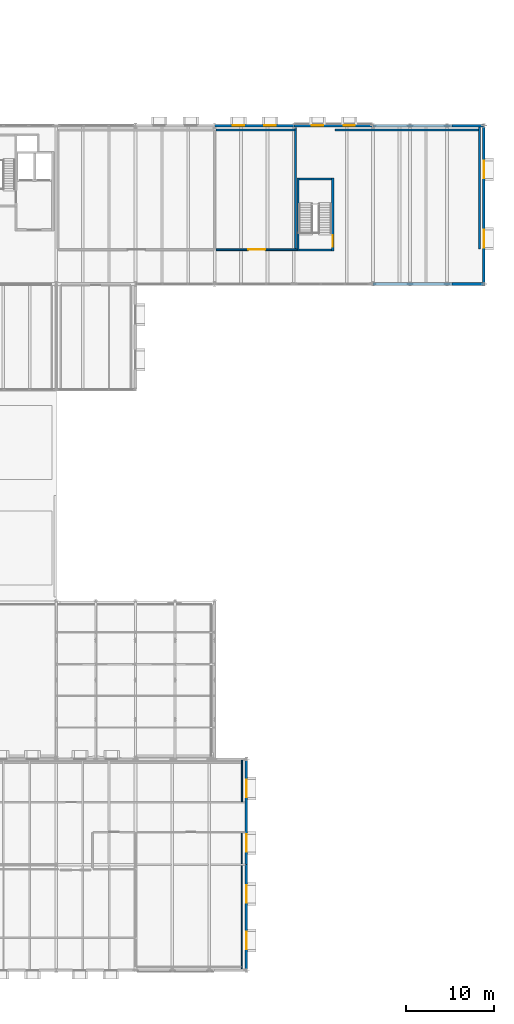
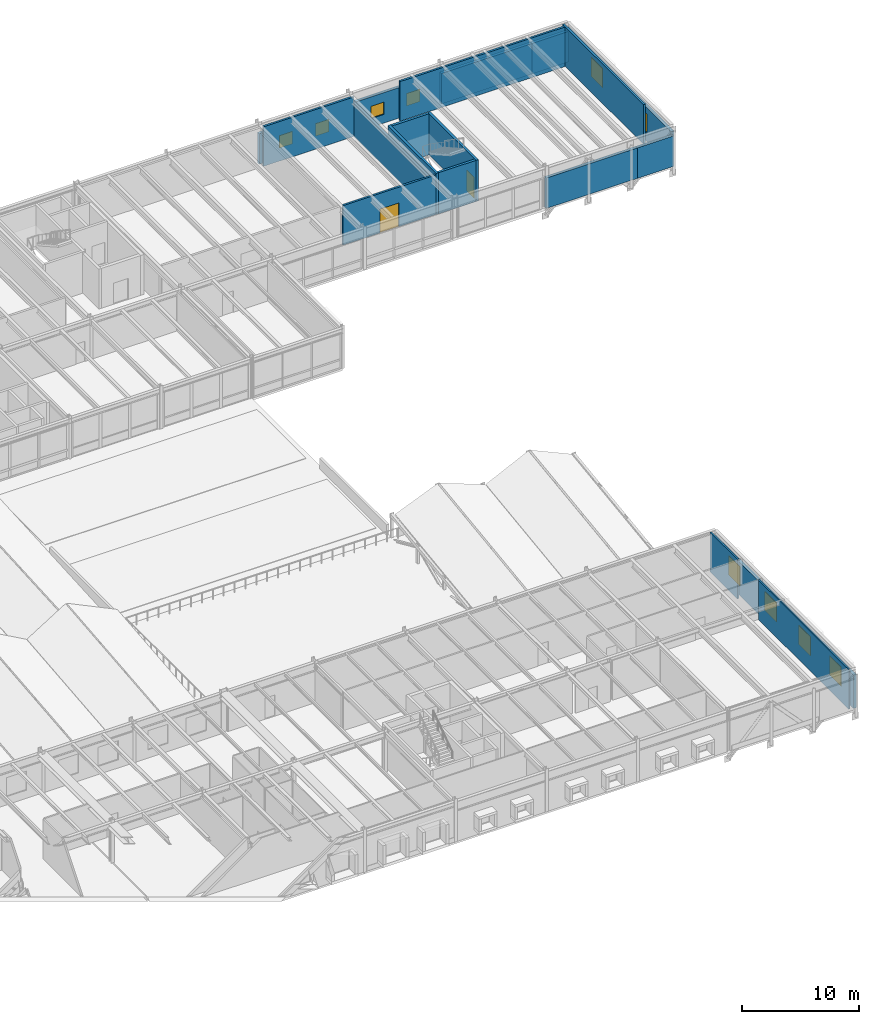
# One storey, part 137 of 142: 20 walls, 10 windows, 2 doors, 12 openings.
"""IFC4 building model written with IfcOpenShell, lengths in metres."""

import ifcopenshell
import ifcopenshell.guid

model = None  # the IFC model being written
_history = None  # IfcOwnerHistory: only IFC2X3 demands one
_inside = {}  # id of a spatial element -> (the spatial element, [elements in it])
_under = {}  # id of a project, library or spatial element -> (it, [spatial elements below it])
_declared = {}  # id of a project -> (the project, [libraries it declares])
_typed = {}  # id of a type object -> (the type object, [elements of that type])
_made_of = {}  # id of a material, layer set ... -> (it, [elements and type objects made of it])


def new_model(schema):
    """Start an empty IFC model of exactly this schema.

    Asked for "IFC4X3", IfcOpenShell would pick the latest addendum, in which some entities
    have other attributes; the version numbers below select the first issue.
    IFC2X3 requires an IfcOwnerHistory on every rooted entity: one is made here for all.
    """
    global model, _history
    if schema == "IFC4X3":
        model = ifcopenshell.file(schema_version=(4, 3, 0, 0))
    else:
        model = ifcopenshell.file(schema=schema)
    _inside.clear()
    _under.clear()
    _declared.clear()
    _typed.clear()
    _made_of.clear()
    _history = None
    if model.schema == "IFC2X3":
        org = make("IfcOrganization", Name="unknown")
        user = make(
            "IfcPersonAndOrganization",
            ThePerson=make("IfcPerson", FamilyName="unknown"),
            TheOrganization=org,
        )
        app = make(
            "IfcApplication",
            ApplicationDeveloper=org,
            Version="unknown",
            ApplicationFullName="unknown",
            ApplicationIdentifier="unknown",
        )
        _history = make(
            "IfcOwnerHistory",
            OwningUser=user,
            OwningApplication=app,
            ChangeAction="ADDED",
            CreationDate=0,
        )
    return model


def make(cls, **values):
    """One entity of the class cls with the attributes given. An attribute that is None is left unset."""
    return model.create_entity(
        cls, **{name: value for name, value in values.items() if value is not None}
    )


def rooted(cls, **values):
    """An entity with a GlobalId (a new one), such as an element, a storey or a relation."""
    return make(cls, GlobalId=ifcopenshell.guid.new(), OwnerHistory=_history, **values)


def si_unit(unit_type, name, prefix=None):
    """IfcSIUnit, for example si_unit("LENGTHUNIT", "METRE", prefix="MILLI")."""
    return make("IfcSIUnit", UnitType=unit_type, Prefix=prefix, Name=name)


def assignment(units):
    """IfcUnitAssignment: the units of a project."""
    return None if units is None else make("IfcUnitAssignment", Units=units)


def point(xyz):
    """IfcCartesianPoint."""
    return None if xyz is None else make("IfcCartesianPoint", Coordinates=xyz)


def direction(xyz):
    """IfcDirection."""
    return None if xyz is None else make("IfcDirection", DirectionRatios=xyz)


def frame(location, z_axis=None, x_axis=None):
    """IfcAxis2Placement3D, a coordinate frame: its origin and axes. An axis left out is left unset."""
    return make(
        "IfcAxis2Placement3D",
        Location=point(location),
        Axis=direction(z_axis),
        RefDirection=direction(x_axis),
    )


def frame_2d(location, x_axis=None):
    """IfcAxis2Placement2D, a coordinate frame in the plane: its origin and x axis."""
    return make(
        "IfcAxis2Placement2D", Location=point(location), RefDirection=direction(x_axis)
    )


def origin():
    """The frame at (0, 0, 0) with its axes left unset."""
    return frame((0.0, 0.0, 0.0))


def place(relative_to, where):
    """IfcLocalPlacement: puts the frame where relative to a parent placement (None: the world)."""
    return make(
        "IfcLocalPlacement", PlacementRelTo=relative_to, RelativePlacement=where
    )


def context(
    kind, dimensions, precision=None, world=None, true_north=None, identifier=None
):
    """IfcGeometricRepresentationContext, for example the 3D "Model" context."""
    return make(
        "IfcGeometricRepresentationContext",
        ContextIdentifier=identifier,
        ContextType=kind,
        CoordinateSpaceDimension=dimensions,
        Precision=precision,
        WorldCoordinateSystem=world,
        TrueNorth=true_north,
    )


def subcontext(parent, identifier, kind, view, scale=None):
    """IfcGeometricRepresentationSubContext, for example "Body" below "Model"."""
    return make(
        "IfcGeometricRepresentationSubContext",
        ContextIdentifier=identifier,
        ContextType=kind,
        ParentContext=parent,
        TargetScale=scale,
        TargetView=view,
    )


def project(units=None, contexts=None):
    """IfcProject with its units and contexts."""
    return rooted(
        "IfcProject",
        Name="project",
        RepresentationContexts=contexts,
        UnitsInContext=assignment(units),
    )


def spatial(cls, under=None, at=None, **own):
    """A site, building, storey or space (cls), placed at a placement, below another one or the project."""
    s = rooted(cls, ObjectPlacement=at, **own)
    if under is not None:
        _under.setdefault(under.id(), (under, []))[1].append(s)
    return s


def profile(cls, at=None, kind="AREA", **sizes):
    """A parametric profile (cls). Its sizes go by their IFC names, for example OverallWidth=200.0."""
    return make(cls, ProfileType=kind, Position=at, **sizes)


def rectangle(**sizes):
    """IfcRectangleProfileDef."""
    return profile("IfcRectangleProfileDef", **sizes)


def extrude(swept, where, along, depth):
    """IfcExtrudedAreaSolid: the profile swept, set in the frame where, extruded along a direction by depth."""
    return make(
        "IfcExtrudedAreaSolid",
        SweptArea=swept,
        Position=where,
        ExtrudedDirection=direction(along),
        Depth=depth,
    )


def shape(context_of_items, identifier, shape_type, items):
    """IfcShapeRepresentation: the items that make up one representation, for example the "Body"."""
    return make(
        "IfcShapeRepresentation",
        ContextOfItems=context_of_items,
        RepresentationIdentifier=identifier,
        RepresentationType=shape_type,
        Items=items,
    )


def material(Name=None, Category=None):
    """IfcMaterial."""
    return make("IfcMaterial", Name=Name, Category=Category)


def layer(
    of_material, thickness, ventilated=None, Name=None, Category=None, Priority=None
):
    """IfcMaterialLayer: one layer of a wall or slab, of a material (None: an air gap)."""
    return make(
        "IfcMaterialLayer",
        Material=of_material,
        LayerThickness=thickness,
        IsVentilated=ventilated,
        Name=Name,
        Category=Category,
        Priority=Priority,
    )


def layer_set(layers, Name=None):
    """IfcMaterialLayerSet."""
    return make("IfcMaterialLayerSet", MaterialLayers=layers, LayerSetName=Name)


def made_of(thing, what):
    """Note that an element or type object is made of a material, layer set ...; save() writes the relation."""
    if what is not None:
        _made_of.setdefault(what.id(), (what, []))[1].append(thing)
    return thing


def type_object(cls, material=None, **own):
    """A type object (cls), such as IfcWallType, which elements share."""
    return made_of(rooted(cls, **own), material)


def element(
    cls,
    number,
    at=None,
    inside=None,
    cuts=None,
    type_object=None,
    material=None,
    context=None,
    identifier="Body",
    shape_type=None,
    held_by="IfcProductDefinitionShape",
    body=None,
    shapes=None,
    **own,
):
    """One element of the class cls, such as IfcWall. Its Tag is "e" and its number.

    at: its placement. inside: the storey or other place that contains it. cuts: it is an
    opening in that element (IfcRelVoidsElement). A single representation is given by context,
    identifier, shape_type and body (its items); several are given by shapes. held_by: the class
    of the entity that holds the representations. save() writes the other relations.
    """
    e = rooted(cls, Tag="e%d" % number, ObjectPlacement=at, **own)
    if body is not None:
        shapes = [shape(context, identifier, shape_type, body)]
    if shapes is not None:
        e.Representation = make(held_by, Representations=shapes)
    if inside is not None:
        _inside.setdefault(inside.id(), (inside, []))[1].append(e)
    if cuts is not None:
        rooted(
            "IfcRelVoidsElement", RelatingBuildingElement=cuts, RelatedOpeningElement=e
        )
    if type_object is not None:
        _typed.setdefault(type_object.id(), (type_object, []))[1].append(e)
    return made_of(e, material)


def fill(opening, filler):
    """IfcRelFillsElement: the door or window that sits in an opening."""
    return rooted(
        "IfcRelFillsElement",
        RelatingOpeningElement=opening,
        RelatedBuildingElement=filler,
    )


def aggregate(whole, parts):
    """IfcRelAggregates: a whole, such as a stair, and the parts it consists of."""
    return rooted("IfcRelAggregates", RelatingObject=whole, RelatedObjects=parts)


def save(model, path):
    """Write the relations noted so far, then the file.

    IfcRelAggregates (storeys below a building ...), IfcRelContainedInSpatialStructure (elements
    in a storey), IfcRelDefinesByType, IfcRelAssociatesMaterial and IfcRelDeclares: one each for
    every whole, place, type object, material and project.
    """
    for whole, parts in _under.values():
        aggregate(whole, parts)
    for where, things in _inside.values():
        rooted(
            "IfcRelContainedInSpatialStructure",
            RelatedElements=things,
            RelatingStructure=where,
        )
    for kind, things in _typed.values():
        rooted("IfcRelDefinesByType", RelatedObjects=things, RelatingType=kind)
    for what, things in _made_of.values():
        rooted("IfcRelAssociatesMaterial", RelatedObjects=things, RelatingMaterial=what)
    for by, libraries in _declared.values():
        rooted("IfcRelDeclares", RelatingContext=by, RelatedDefinitions=libraries)
    model.write(path)


model = new_model("IFC4")

# Units and contexts
model_context = context("Model", 3, precision=1e-05, world=origin(), true_north=direction((0.0, 1.0)))
body_context = subcontext(model_context, "Body", "Model", "MODEL_VIEW")
ifc_project = project(units=[si_unit("LENGTHUNIT", "METRE"), si_unit("AREAUNIT", "SQUARE_METRE"), si_unit("VOLUMEUNIT", "CUBIC_METRE"), si_unit("PLANEANGLEUNIT", "RADIAN"), si_unit("MASSUNIT", "GRAM", prefix="KILO")], contexts=[model_context])

# Site, building, storey
site_placement = place(None, origin())
site = spatial("IfcSite", under=ifc_project, at=site_placement, CompositionType="ELEMENT")
building_placement = place(site_placement, origin())
building = spatial("IfcBuilding", under=site, at=building_placement, Name="Montelvaro Courts of Justice", CompositionType="ELEMENT")
storey_placement = place(building_placement, frame((0.0, 0.0, 14.39990234375)))
storey = spatial("IfcBuildingStorey", under=building, at=storey_placement, Name="L03", CompositionType="ELEMENT", Elevation=14.39990234375)

# Walls
ifc_material_1 = material(Name="Gypsum board on metal stud")
ifc_layer_1 = layer(ifc_material_1, 0.14990234375)
ifc_layer_set_1 = layer_set([ifc_layer_1], Name="Gypsum board on metal stud")
wall_type_1 = type_object("IfcWallType", Name="ChambersPartition_150", PredefinedType="PARTITIONING", material=ifc_layer_set_1)
wall_1_placement = place(storey_placement, frame((147.10009765625, 23.85498046875, 0.0), z_axis=(0.0, 0.0, 1.0), x_axis=(0.0, -1.0, 0.0)))
element("IfcWall", 1, at=wall_1_placement, inside=storey, type_object=wall_type_1, Name="Interior Partition IW-04 (L03)", PredefinedType="PARTITIONING", context=body_context, shape_type="SweptSolid", body=[
    extrude(rectangle(XDim=4.675048828125, YDim=0.14990234375, at=frame_2d((2.33740234375, 0.0))), origin(), (0.0, 0.0, 1.0), 4.14013671875),
])
ifc_material_2 = material(Name="Gypsum acoustic double stud with mineral wool")
ifc_layer_2 = layer(ifc_material_2, 0.199951171875)
ifc_layer_set_2 = layer_set([ifc_layer_2], Name="Gypsum acoustic double stud with mineral wool")
wall_type_2 = type_object("IfcWallType", Name="CourtAcousticWall_200", PredefinedType="PARTITIONING", material=ifc_layer_set_2)
wall_2_placement = place(storey_placement, frame((153.199951171875, 95.72705078125, 0.0), z_axis=(0.0, 0.0, 1.0), x_axis=(0.0, -1.0, 0.0)))
element("IfcWall", 2, at=wall_2_placement, inside=storey, type_object=wall_type_2, Name="Interior Partition IW-01 (L03)", PredefinedType="PARTITIONING", context=body_context, shape_type="SweptSolid", body=[
    extrude(rectangle(XDim=13.7470703125, YDim=0.199951171875, at=frame_2d((6.87353515625, 0.0))), origin(), (0.0, 0.0, 1.0), 3.4951171875),
])

# Wall, opening, door
wall_3_placement = place(storey_placement, frame((153.364990234375, 81.89990234375, 0.0), z_axis=(0.0, 0.0, 1.0), x_axis=(-1.0, 0.0, 0.0)))
wall_3 = element("IfcWall", 3, at=wall_3_placement, inside=storey, type_object=wall_type_2, Name="Interior Partition IW-01 (L03)", PredefinedType="PARTITIONING", context=body_context, shape_type="SweptSolid", body=[
    extrude(rectangle(XDim=9.18505859375, YDim=0.199951171875, at=frame_2d((4.592529296875, 0.0))), origin(), (0.0, 0.0, 1.0), 4.14013671875),
])
opening_1_placement = place(wall_3_placement, frame((3.64306640625, 0.0, 0.0)))
opening_1 = element("IfcOpeningElement", 4, at=opening_1_placement, cuts=wall_3, Name="Opening D-L03-111", PredefinedType="OPENING", context=body_context, shape_type="SweptSolid", body=[
    extrude(rectangle(XDim=1.89990234375, YDim=2.5, at=frame_2d((0.949951171875, 1.25))), frame((0.0, 0.11474609375, 0.0), z_axis=(0.0, -1.0, 0.0), x_axis=(1.0, 0.0, 0.0)), (0.0, 0.0, 1.0), 0.229736328125),
])
ifc_material_3 = material(Name="Acoustic oak timber veneer", Category="wood")
door_type_1 = type_object("IfcDoorType", Name="CourtDoor_190x250", OperationType="DOUBLE_DOOR_SINGLE_SWING", PredefinedType="DOOR", material=ifc_material_3)
door_1_placement = place(opening_1_placement, frame((1.89990234375, 0.0, 0.0), z_axis=(0.0, 0.0, 1.0), x_axis=(-1.0, 0.0, 0.0)))
door_1 = element("IfcDoor", 5, at=door_1_placement, inside=storey, type_object=door_type_1, Name="Interior Door D-L03-111 (Administrative Courtroom 14)", OperationType="DOUBLE_DOOR_SINGLE_SWING", OverallHeight=2.5, OverallWidth=1.89990234375, PredefinedType="DOOR", context=body_context, shape_type="SweptSolid", body=[
    extrude(rectangle(XDim=1.89990234375, YDim=2.5, at=frame_2d((0.949951171875, 1.25))), frame((0.0, 0.02490234375, 0.0), z_axis=(0.0, -1.0, 0.0), x_axis=(1.0, 0.0, 0.0)), (0.0, 0.0, 1.0), 0.050048828125),
])
fill(opening_1, door_1)

# Walls
wall_4_placement = place(storey_placement, frame((144.179931640625, 95.5, 0.0), z_axis=(0.0, 0.0, 1.0), x_axis=(1.0, 0.0, 0.0)))
element("IfcWall", 6, at=wall_4_placement, inside=storey, type_object=wall_type_2, Name="Interior Partition IW-01 (L03)", PredefinedType="PARTITIONING", context=body_context, shape_type="SweptSolid", body=[
    extrude(rectangle(XDim=8.940185546875, YDim=0.199951171875, at=frame_2d((4.47021484375, 0.0))), origin(), (0.0, 0.0, 1.0), 4.14013671875),
])
wall_5_placement = place(storey_placement, frame((174.10009765625, 95.85498046875, 0.0), z_axis=(0.0, 0.0, 1.0), x_axis=(0.0, -1.0, 0.0)))
element("IfcWall", 7, at=wall_5_placement, inside=storey, type_object=wall_type_2, Name="Interior Partition IW-01 (L03)", PredefinedType="PARTITIONING", context=body_context, shape_type="SweptSolid", body=[
    extrude(rectangle(XDim=13.875, YDim=0.199951171875, at=frame_2d((6.9375, 0.0))), origin(), (0.0, 0.0, 1.0), 4.14013671875),
])
wall_6_placement = place(storey_placement, frame((157.679931640625, 95.5, 0.0), z_axis=(0.0, 0.0, 1.0), x_axis=(1.0, 0.0, 0.0)))
element("IfcWall", 8, at=wall_6_placement, inside=storey, type_object=wall_type_2, Name="Interior Partition IW-01 (L03)", PredefinedType="PARTITIONING", context=body_context, shape_type="SweptSolid", body=[
    extrude(rectangle(XDim=16.340087890625, YDim=0.199951171875, at=frame_2d((8.169921875, 0.0))), origin(), (0.0, 0.0, 1.0), 4.14013671875),
])
ifc_material_4 = material(Name="White mineral precast concrete C45/55", Category="concrete")
ifc_layer_3 = layer(ifc_material_4, 0.300048828125)
ifc_layer_set_3 = layer_set([ifc_layer_3], Name="White mineral precast concrete C45/55")
wall_type_3 = type_object("IfcWallType", Name="ExtWall_GFRC_300", PredefinedType="SOLIDWALL", material=ifc_layer_set_3)
wall_7_placement = place(storey_placement, frame((162.008056640625, 78.0, 0.0), z_axis=(0.0, 0.0, 1.0), x_axis=(1.0, 0.0, 0.0)))
element("IfcWall", 9, at=wall_7_placement, inside=storey, type_object=wall_type_3, Name="Exterior Facade Wall EW-02 (L03)", PredefinedType="SOLIDWALL", context=body_context, shape_type="SweptSolid", body=[
    extrude(rectangle(XDim=9.001953125, YDim=0.300048828125, at=frame_2d((4.5009765625, 0.0))), origin(), (0.0, 0.0, 1.0), 3.18701171875),
])
wall_8_placement = place(storey_placement, frame((170.989990234375, 78.0, 0.0), z_axis=(0.0, 0.0, 1.0), x_axis=(1.0, 0.0, 0.0)))
element("IfcWall", 10, at=wall_8_placement, inside=storey, type_object=wall_type_3, Name="Exterior Facade Wall EW-02 (L03)", PredefinedType="SOLIDWALL", context=body_context, shape_type="SweptSolid", body=[
    extrude(rectangle(XDim=3.64990234375, YDim=0.300048828125, at=frame_2d((1.824951171875, 0.0))), origin(), (0.0, 0.0, 1.0), 3.18701171875),
])

# Wall, openings, windows
wall_9_placement = place(storey_placement, frame((174.60009765625, 78.0400390625, 0.0), z_axis=(0.0, 0.0, 1.0), x_axis=(0.0, 1.0, 0.0)))
wall_9 = element("IfcWall", 11, at=wall_9_placement, inside=storey, type_object=wall_type_3, Name="Exterior Facade Wall EW-02 (L03)", PredefinedType="SOLIDWALL", context=body_context, shape_type="SweptSolid", body=[
    extrude(rectangle(XDim=18.0, YDim=0.300048828125, at=frame_2d((9.0, 0.0))), origin(), (0.0, 0.0, 1.0), 3.545166015625),
])
opening_2_placement = place(wall_9_placement, frame((4.10009765625, 0.0, 0.85009765625)))
opening_2 = element("IfcOpeningElement", 12, at=opening_2_placement, cuts=wall_9, Name="Opening WE-11", PredefinedType="OPENING", context=body_context, shape_type="SweptSolid", body=[
    extrude(rectangle(XDim=2.0, YDim=2.0, at=frame_2d((1.0, 1.0))), frame((0.0, 0.1650390625, 0.0), z_axis=(0.0, -1.0, 0.0), x_axis=(1.0, 0.0, 0.0)), (0.0, 0.0, 1.0), 0.329833984375),
])
opening_3_placement = place(wall_9_placement, frame((11.9599609375, 0.0, 0.85009765625)))
opening_3 = element("IfcOpeningElement", 13, at=opening_3_placement, cuts=wall_9, Name="Opening WE-11", PredefinedType="OPENING", context=body_context, shape_type="SweptSolid", body=[
    extrude(rectangle(XDim=2.0, YDim=2.0, at=frame_2d((1.0, 1.0))), frame((0.0, 0.1650390625, 0.0), z_axis=(0.0, -1.0, 0.0), x_axis=(1.0, 0.0, 0.0)), (0.0, 0.0, 1.0), 0.329833984375),
])
ifc_material_5 = material(Name="Low-E solar control double glazing", Category="glass")
window_type_1 = type_object("IfcWindowType", Name="Win_Sq_200x200", PartitioningType="SINGLE_PANEL", PredefinedType="WINDOW", material=ifc_material_5)
window_1_placement = place(opening_2_placement, origin())
window_1 = element("IfcWindow", 14, at=window_1_placement, inside=storey, type_object=window_type_1, Name="Window W-L03-139", OverallHeight=2.0, OverallWidth=2.0, PartitioningType="SINGLE_PANEL", PredefinedType="WINDOW", context=body_context, shape_type="SweptSolid", body=[
    extrude(rectangle(XDim=2.0, YDim=2.0, at=frame_2d((1.0, 1.0))), frame((0.0, 0.030029296875, 0.0), z_axis=(0.0, -1.0, 0.0), x_axis=(1.0, 0.0, 0.0)), (0.0, 0.0, 1.0), 0.06005859375),
])
fill(opening_2, window_1)
window_2_placement = place(opening_3_placement, origin())
window_2 = element("IfcWindow", 15, at=window_2_placement, inside=storey, type_object=window_type_1, Name="Window W-L03-140", OverallHeight=2.0, OverallWidth=2.0, PartitioningType="SINGLE_PANEL", PredefinedType="WINDOW", context=body_context, shape_type="SweptSolid", body=[
    extrude(rectangle(XDim=2.0, YDim=2.0, at=frame_2d((1.0, 1.0))), frame((0.0, 0.030029296875, 0.0), z_axis=(0.0, -1.0, 0.0), x_axis=(1.0, 0.0, 0.0)), (0.0, 0.0, 1.0), 0.06005859375),
])
fill(opening_3, window_2)

# Walls
wall_10_placement = place(storey_placement, frame((174.56005859375, 96.0, 0.0), z_axis=(0.0, 0.0, 1.0), x_axis=(-1.0, 0.0, 0.0)))
element("IfcWall", 16, at=wall_10_placement, inside=storey, type_object=wall_type_3, Name="Exterior Facade Wall EW-02 (L03)", PredefinedType="SOLIDWALL", context=body_context, shape_type="SweptSolid", body=[
    extrude(rectangle(XDim=3.570068359375, YDim=0.300048828125, at=frame_2d((1.78515625, 0.0))), origin(), (0.0, 0.0, 1.0), 3.18701171875),
])
wall_11_placement = place(storey_placement, frame((171.010009765625, 96.0, 0.0), z_axis=(0.0, 0.0, 1.0), x_axis=(-1.0, 0.0, 0.0)))
element("IfcWall", 17, at=wall_11_placement, inside=storey, type_object=wall_type_3, Name="Exterior Facade Wall EW-02 (L03)", PredefinedType="SOLIDWALL", context=body_context, shape_type="SweptSolid", body=[
    extrude(rectangle(XDim=9.001953125, YDim=0.300048828125, at=frame_2d((4.5009765625, 0.0))), origin(), (0.0, 0.0, 1.0), 3.18701171875),
])

# Wall, openings, windows
wall_12_placement = place(storey_placement, frame((161.991943359375, 96.0, 0.0), z_axis=(0.0, 0.0, 1.0), x_axis=(-1.0, 0.0, 0.0)))
wall_12 = element("IfcWall", 18, at=wall_12_placement, inside=storey, type_object=wall_type_3, Name="Exterior Facade Wall EW-02 (L03)", PredefinedType="SOLIDWALL", context=body_context, shape_type="SweptSolid", body=[
    extrude(rectangle(XDim=8.98388671875, YDim=0.300048828125, at=frame_2d((4.491943359375, 0.0))), origin(), (0.0, 0.0, 1.0), 3.18701171875),
])
opening_4_placement = place(wall_12_placement, frame((2.044921875, 0.0, 0.89990234375)))
opening_4 = element("IfcOpeningElement", 19, at=opening_4_placement, cuts=wall_12, Name="Opening WE-18", PredefinedType="OPENING", context=body_context, shape_type="SweptSolid", body=[
    extrude(rectangle(XDim=1.300048828125, YDim=1.300048828125, at=frame_2d((0.64990234375, 0.64990234375))), frame((0.0, 0.1650390625, 0.0), z_axis=(0.0, -1.0, 0.0), x_axis=(1.0, 0.0, 0.0)), (0.0, 0.0, 1.0), 0.329833984375),
])
opening_5_placement = place(wall_12_placement, frame((5.638916015625, 0.0, 0.89990234375)))
opening_5 = element("IfcOpeningElement", 20, at=opening_5_placement, cuts=wall_12, Name="Opening WE-18", PredefinedType="OPENING", context=body_context, shape_type="SweptSolid", body=[
    extrude(rectangle(XDim=1.300048828125, YDim=1.300048828125, at=frame_2d((0.64990234375, 0.64990234375))), frame((0.0, 0.1650390625, 0.0), z_axis=(0.0, -1.0, 0.0), x_axis=(1.0, 0.0, 0.0)), (0.0, 0.0, 1.0), 0.329833984375),
])
window_type_2 = type_object("IfcWindowType", Name="Win_Sq_130x130", PartitioningType="SINGLE_PANEL", PredefinedType="WINDOW", material=ifc_material_5)
window_3_placement = place(opening_4_placement, origin())
window_3 = element("IfcWindow", 21, at=window_3_placement, inside=storey, type_object=window_type_2, Name="Window W-L03-141", OverallHeight=1.300048828125, OverallWidth=1.300048828125, PartitioningType="SINGLE_PANEL", PredefinedType="WINDOW", context=body_context, shape_type="SweptSolid", body=[
    extrude(rectangle(XDim=1.300048828125, YDim=1.300048828125, at=frame_2d((0.64990234375, 0.64990234375))), frame((0.0, 0.030029296875, 0.0), z_axis=(0.0, -1.0, 0.0), x_axis=(1.0, 0.0, 0.0)), (0.0, 0.0, 1.0), 0.06005859375),
])
fill(opening_4, window_3)
window_4_placement = place(opening_5_placement, origin())
window_4 = element("IfcWindow", 22, at=window_4_placement, inside=storey, type_object=window_type_2, Name="Window W-L03-142", OverallHeight=1.300048828125, OverallWidth=1.300048828125, PartitioningType="SINGLE_PANEL", PredefinedType="WINDOW", context=body_context, shape_type="SweptSolid", body=[
    extrude(rectangle(XDim=1.300048828125, YDim=1.300048828125, at=frame_2d((0.64990234375, 0.64990234375))), frame((0.0, 0.030029296875, 0.0), z_axis=(0.0, -1.0, 0.0), x_axis=(1.0, 0.0, 0.0)), (0.0, 0.0, 1.0), 0.06005859375),
])
fill(opening_5, window_4)

wall_13_placement = place(storey_placement, frame((152.991943359375, 96.0, 0.0), z_axis=(0.0, 0.0, 1.0), x_axis=(-1.0, 0.0, 0.0)))
wall_13 = element("IfcWall", 23, at=wall_13_placement, inside=storey, type_object=wall_type_3, Name="Exterior Facade Wall EW-02 (L03)", PredefinedType="SOLIDWALL", context=body_context, shape_type="SweptSolid", body=[
    extrude(rectangle(XDim=8.98388671875, YDim=0.300048828125, at=frame_2d((4.491943359375, 0.0))), origin(), (0.0, 0.0, 1.0), 3.18701171875),
])
opening_6_placement = place(wall_13_placement, frame((2.044921875, 0.0, 0.89990234375)))
opening_6 = element("IfcOpeningElement", 24, at=opening_6_placement, cuts=wall_13, Name="Opening WE-18", PredefinedType="OPENING", context=body_context, shape_type="SweptSolid", body=[
    extrude(rectangle(XDim=1.300048828125, YDim=1.300048828125, at=frame_2d((0.64990234375, 0.64990234375))), frame((0.0, 0.1650390625, 0.0), z_axis=(0.0, -1.0, 0.0), x_axis=(1.0, 0.0, 0.0)), (0.0, 0.0, 1.0), 0.329833984375),
])
opening_7_placement = place(wall_13_placement, frame((5.638916015625, 0.0, 0.89990234375)))
opening_7 = element("IfcOpeningElement", 25, at=opening_7_placement, cuts=wall_13, Name="Opening WE-18", PredefinedType="OPENING", context=body_context, shape_type="SweptSolid", body=[
    extrude(rectangle(XDim=1.300048828125, YDim=1.300048828125, at=frame_2d((0.64990234375, 0.64990234375))), frame((0.0, 0.1650390625, 0.0), z_axis=(0.0, -1.0, 0.0), x_axis=(1.0, 0.0, 0.0)), (0.0, 0.0, 1.0), 0.329833984375),
])
window_5_placement = place(opening_6_placement, origin())
window_5 = element("IfcWindow", 26, at=window_5_placement, inside=storey, type_object=window_type_2, Name="Window W-L03-143", OverallHeight=1.300048828125, OverallWidth=1.300048828125, PartitioningType="SINGLE_PANEL", PredefinedType="WINDOW", context=body_context, shape_type="SweptSolid", body=[
    extrude(rectangle(XDim=1.300048828125, YDim=1.300048828125, at=frame_2d((0.64990234375, 0.64990234375))), frame((0.0, 0.030029296875, 0.0), z_axis=(0.0, -1.0, 0.0), x_axis=(1.0, 0.0, 0.0)), (0.0, 0.0, 1.0), 0.06005859375),
])
fill(opening_6, window_5)
window_6_placement = place(opening_7_placement, origin())
window_6 = element("IfcWindow", 27, at=window_6_placement, inside=storey, type_object=window_type_2, Name="Window W-L03-144", OverallHeight=1.300048828125, OverallWidth=1.300048828125, PartitioningType="SINGLE_PANEL", PredefinedType="WINDOW", context=body_context, shape_type="SweptSolid", body=[
    extrude(rectangle(XDim=1.300048828125, YDim=1.300048828125, at=frame_2d((0.64990234375, 0.64990234375))), frame((0.0, 0.030029296875, 0.0), z_axis=(0.0, -1.0, 0.0), x_axis=(1.0, 0.0, 0.0)), (0.0, 0.0, 1.0), 0.06005859375),
])
fill(opening_7, window_6)

wall_14_placement = place(storey_placement, frame((147.60009765625, 0.0400390625, 0.0), z_axis=(0.0, 0.0, 1.0), x_axis=(0.0, 1.0, 0.0)))
wall_14 = element("IfcWall", 28, at=wall_14_placement, inside=storey, type_object=wall_type_3, Name="Exterior Facade Wall EW-02 (L03)", PredefinedType="SOLIDWALL", context=body_context, shape_type="SweptSolid", body=[
    extrude(rectangle(XDim=11.969970703125, YDim=0.300048828125, at=frame_2d((5.98486328125, 0.0))), origin(), (0.0, 0.0, 1.0), 3.47509765625),
])
opening_8_placement = place(wall_14_placement, frame((2.35205078125, 0.0, 0.85009765625)))
opening_8 = element("IfcOpeningElement", 29, at=opening_8_placement, cuts=wall_14, Name="Opening WE-11", PredefinedType="OPENING", context=body_context, shape_type="SweptSolid", body=[
    extrude(rectangle(XDim=2.0, YDim=2.0, at=frame_2d((1.0, 1.0))), frame((0.0, 0.1650390625, 0.0), z_axis=(0.0, -1.0, 0.0), x_axis=(1.0, 0.0, 0.0)), (0.0, 0.0, 1.0), 0.329833984375),
])
opening_9_placement = place(wall_14_placement, frame((7.617919921875, 0.0, 0.85009765625)))
opening_9 = element("IfcOpeningElement", 30, at=opening_9_placement, cuts=wall_14, Name="Opening WE-11", PredefinedType="OPENING", context=body_context, shape_type="SweptSolid", body=[
    extrude(rectangle(XDim=2.0, YDim=2.0, at=frame_2d((1.0, 1.0))), frame((0.0, 0.1650390625, 0.0), z_axis=(0.0, -1.0, 0.0), x_axis=(1.0, 0.0, 0.0)), (0.0, 0.0, 1.0), 0.329833984375),
])
window_7_placement = place(opening_8_placement, origin())
window_7 = element("IfcWindow", 31, at=window_7_placement, inside=storey, type_object=window_type_1, Name="Window W-L03-177", OverallHeight=2.0, OverallWidth=2.0, PartitioningType="SINGLE_PANEL", PredefinedType="WINDOW", context=body_context, shape_type="SweptSolid", body=[
    extrude(rectangle(XDim=2.0, YDim=2.0, at=frame_2d((1.0, 1.0))), frame((0.0, 0.030029296875, 0.0), z_axis=(0.0, -1.0, 0.0), x_axis=(1.0, 0.0, 0.0)), (0.0, 0.0, 1.0), 0.06005859375),
])
fill(opening_8, window_7)
window_8_placement = place(opening_9_placement, origin())
window_8 = element("IfcWindow", 32, at=window_8_placement, inside=storey, type_object=window_type_1, Name="Window W-L03-178", OverallHeight=2.0, OverallWidth=2.0, PartitioningType="SINGLE_PANEL", PredefinedType="WINDOW", context=body_context, shape_type="SweptSolid", body=[
    extrude(rectangle(XDim=2.0, YDim=2.0, at=frame_2d((1.0, 1.0))), frame((0.0, 0.030029296875, 0.0), z_axis=(0.0, -1.0, 0.0), x_axis=(1.0, 0.0, 0.0)), (0.0, 0.0, 1.0), 0.06005859375),
])
fill(opening_9, window_8)

wall_15_placement = place(storey_placement, frame((147.60009765625, 11.989990234375, 0.0), z_axis=(0.0, 0.0, 1.0), x_axis=(0.0, 1.0, 0.0)))
wall_15 = element("IfcWall", 33, at=wall_15_placement, inside=storey, type_object=wall_type_3, Name="Exterior Facade Wall EW-02 (L03)", PredefinedType="SOLIDWALL", context=body_context, shape_type="SweptSolid", body=[
    extrude(rectangle(XDim=12.050048828125, YDim=0.300048828125, at=frame_2d((6.02490234375, 0.0))), origin(), (0.0, 0.0, 1.0), 3.47509765625),
])
opening_10_placement = place(wall_15_placement, frame((1.469970703125, 0.0, 0.85009765625)))
opening_10 = element("IfcOpeningElement", 34, at=opening_10_placement, cuts=wall_15, Name="Opening WE-11", PredefinedType="OPENING", context=body_context, shape_type="SweptSolid", body=[
    extrude(rectangle(XDim=2.0, YDim=2.0, at=frame_2d((1.0, 1.0))), frame((0.0, 0.1650390625, 0.0), z_axis=(0.0, -1.0, 0.0), x_axis=(1.0, 0.0, 0.0)), (0.0, 0.0, 1.0), 0.329833984375),
])
opening_11_placement = place(wall_15_placement, frame((7.676025390625, 0.0, 0.85009765625)))
opening_11 = element("IfcOpeningElement", 35, at=opening_11_placement, cuts=wall_15, Name="Opening WE-11", PredefinedType="OPENING", context=body_context, shape_type="SweptSolid", body=[
    extrude(rectangle(XDim=2.0, YDim=2.0, at=frame_2d((1.0, 1.0))), frame((0.0, 0.1650390625, 0.0), z_axis=(0.0, -1.0, 0.0), x_axis=(1.0, 0.0, 0.0)), (0.0, 0.0, 1.0), 0.329833984375),
])
window_9_placement = place(opening_10_placement, origin())
window_9 = element("IfcWindow", 36, at=window_9_placement, inside=storey, type_object=window_type_1, Name="Window W-L03-179", OverallHeight=2.0, OverallWidth=2.0, PartitioningType="SINGLE_PANEL", PredefinedType="WINDOW", context=body_context, shape_type="SweptSolid", body=[
    extrude(rectangle(XDim=2.0, YDim=2.0, at=frame_2d((1.0, 1.0))), frame((0.0, 0.030029296875, 0.0), z_axis=(0.0, -1.0, 0.0), x_axis=(1.0, 0.0, 0.0)), (0.0, 0.0, 1.0), 0.06005859375),
])
fill(opening_10, window_9)
window_10_placement = place(opening_11_placement, origin())
window_10 = element("IfcWindow", 37, at=window_10_placement, inside=storey, type_object=window_type_1, Name="Window W-L03-180", OverallHeight=2.0, OverallWidth=2.0, PartitioningType="SINGLE_PANEL", PredefinedType="WINDOW", context=body_context, shape_type="SweptSolid", body=[
    extrude(rectangle(XDim=2.0, YDim=2.0, at=frame_2d((1.0, 1.0))), frame((0.0, 0.030029296875, 0.0), z_axis=(0.0, -1.0, 0.0), x_axis=(1.0, 0.0, 0.0)), (0.0, 0.0, 1.0), 0.06005859375),
])
fill(opening_11, window_10)

# Walls
ifc_layer_4 = layer(ifc_material_1, 0.1201171875)
ifc_layer_set_4 = layer_set([ifc_layer_4], Name="Gypsum board on metal stud")
wall_type_4 = type_object("IfcWallType", Name="OfficePartition_120", PredefinedType="PARTITIONING", material=ifc_layer_set_4)
wall_16_placement = place(storey_placement, frame((147.10009765625, 15.64501953125, 0.0), z_axis=(0.0, 0.0, 1.0), x_axis=(0.0, -1.0, 0.0)))
element("IfcWall", 38, at=wall_16_placement, inside=storey, type_object=wall_type_4, Name="Interior Partition IW-05 (L03)", PredefinedType="PARTITIONING", context=body_context, shape_type="SweptSolid", body=[
    extrude(rectangle(XDim=15.5, YDim=0.1201171875, at=frame_2d((7.75, 0.0))), origin(), (0.0, 0.0, 1.0), 4.14013671875),
])
ifc_material_6 = material(Name="Concrete C35/45", Category="concrete")
ifc_layer_5 = layer(ifc_material_6, 0.239990234375)
ifc_layer_set_5 = layer_set([ifc_layer_5], Name="Concrete C35/45")
wall_type_5 = type_object("IfcWallType", Name="ShaftWall_240", PredefinedType="SHEAR", material=ifc_layer_set_5)
wall_17_placement = place(storey_placement, frame((153.47998046875, 81.760009765625, 0.0), z_axis=(0.0, 0.0, 1.0), x_axis=(0.0, 1.0, 0.0)))
element("IfcWall", 39, at=wall_17_placement, inside=storey, type_object=wall_type_5, Name="Protected Stair Structural Wall ST-V2-W (L03)", PredefinedType="SHEAR", context=body_context, shape_type="SweptSolid", body=[
    extrude(rectangle(XDim=8.280029296875, YDim=0.239990234375, at=frame_2d((4.14013671875, 0.0))), origin(), (0.0, 0.0, 1.0), 4.31005859375),
])

# Wall, opening, door
wall_18_placement = place(storey_placement, frame((157.419921875, 81.760009765625, 0.0), z_axis=(0.0, 0.0, 1.0), x_axis=(0.0, 1.0, 0.0)))
wall_18 = element("IfcWall", 40, at=wall_18_placement, inside=storey, type_object=wall_type_5, Name="Protected Stair Structural Wall ST-V2-E (L03)", PredefinedType="SHEAR", context=body_context, shape_type="SweptSolid", body=[
    extrude(rectangle(XDim=8.280029296875, YDim=0.239990234375, at=frame_2d((4.14013671875, 0.0))), origin(), (0.0, 0.0, 1.0), 4.31005859375),
])
opening_12_placement = place(wall_18_placement, frame((0.489990234375, 0.0, 0.0)))
opening_12 = element("IfcOpeningElement", 41, at=opening_12_placement, cuts=wall_18, Name="Opening DS-L03-SV2", PredefinedType="OPENING", context=body_context, shape_type="SweptSolid", body=[
    extrude(rectangle(XDim=1.300048828125, YDim=2.199951171875, at=frame_2d((0.64990234375, 1.10009765625))), frame((0.0, 0.134765625, 0.0), z_axis=(0.0, -1.0, 0.0), x_axis=(1.0, 0.0, 0.0)), (0.0, 0.0, 1.0), 0.269775390625),
])
ifc_material_7 = material(Name="Galvanised steel S355 security door", Category="steel")
door_type_2 = type_object("IfcDoorType", Name="StairFireDoor_130x220", OperationType="NOTDEFINED", PredefinedType="DOOR", material=ifc_material_7)
door_2_placement = place(opening_12_placement, frame((1.300048828125, 0.0, 0.0), z_axis=(0.0, 0.0, 1.0), x_axis=(-1.0, 0.0, 0.0)))
door_2 = element("IfcDoor", 42, at=door_2_placement, inside=storey, type_object=door_type_2, Name="Protected Stair Fire Door DS-L03-SV2", OperationType="SINGLE_SWING_RIGHT", OverallHeight=2.199951171875, OverallWidth=1.300048828125, PredefinedType="DOOR", context=body_context, shape_type="SweptSolid", body=[
    extrude(rectangle(XDim=1.300048828125, YDim=2.199951171875, at=frame_2d((0.64990234375, 1.10009765625))), frame((0.0, 0.02490234375, 0.0), z_axis=(0.0, -1.0, 0.0), x_axis=(1.0, 0.0, 0.0)), (0.0, 0.0, 1.0), 0.050048828125),
])
fill(opening_12, door_2)

# Walls
for number, where, z_axis, x_axis, name in (
    (43, (153.60009765625, 81.8798828125, 0.0), (0.0, 0.0, 1.0), (1.0, 0.0, 0.0), "Protected Stair Structural Wall ST-V2-S (L03)"),
    (44, (153.60009765625, 89.919921875, 0.0), (0.0, 0.0, 1.0), (1.0, 0.0, 0.0), "Protected Stair Structural Wall ST-V2-N (L03)"),
):
    element("IfcWall", number, at=place(storey_placement, frame(where, z_axis=z_axis, x_axis=x_axis)), inside=storey, type_object=wall_type_5, Name=name, PredefinedType="SHEAR", context=body_context, shape_type="SweptSolid", body=[
        extrude(rectangle(XDim=3.699951171875, YDim=0.239990234375, at=frame_2d((1.85009765625, 0.0))), origin(), (0.0, 0.0, 1.0), 4.31005859375),
    ])

save(model, "model.ifc")
